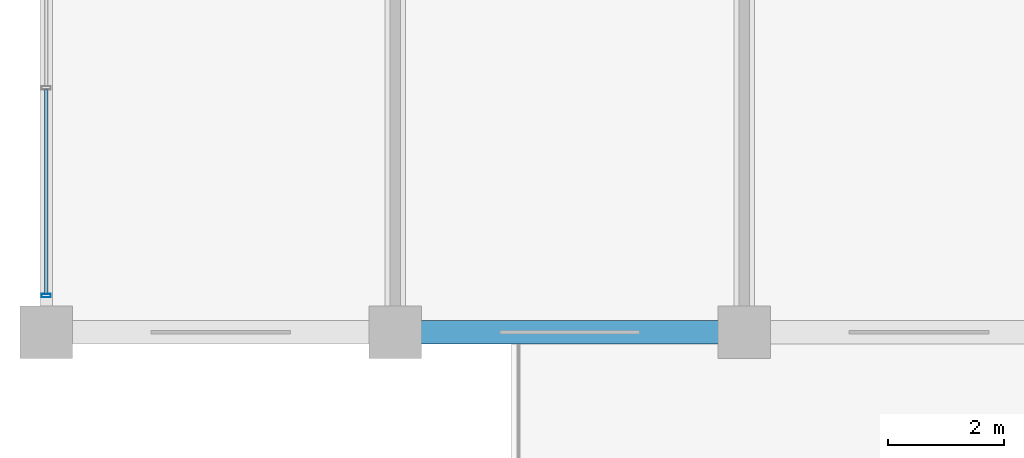
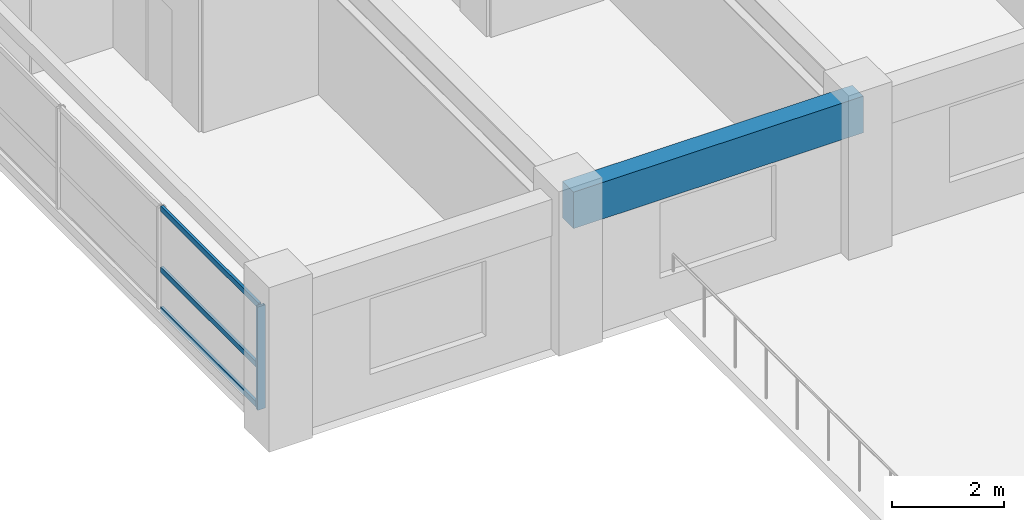
# One storey, part 2 of 24: 4 members, 1 beam, 1 element without a shape of its own.
"""IFC4 building model written with IfcOpenShell, lengths in metres."""

from ifc_helpers import new_model, si_unit, direction, frame, origin, origin_2d, place, context, subcontext, project, spatial, rectangle, hollow_rectangle, extrude, material, material_profile, profile_set, type_object, element, aggregate, save


model = new_model("IFC4")

# Units and contexts
model_context = context("Model", 3, precision=1e-05, world=origin(), true_north=direction((0.0, 1.0)))
body_context = subcontext(model_context, "Body", "Model", "MODEL_VIEW")
ifc_project = project(units=[si_unit("LENGTHUNIT", "METRE"), si_unit("AREAUNIT", "SQUARE_METRE"), si_unit("VOLUMEUNIT", "CUBIC_METRE"), si_unit("PLANEANGLEUNIT", "RADIAN"), si_unit("MASSUNIT", "GRAM", prefix="KILO")], contexts=[model_context])

# Site, building, storey
site_placement = place(None, origin())
site = spatial("IfcSite", under=ifc_project, at=site_placement, CompositionType="ELEMENT")
building_placement = place(site_placement, origin())
building = spatial("IfcBuilding", under=site, at=building_placement, Name="Kaldorvane Square Convention Centre", CompositionType="ELEMENT")
storey_placement = place(building_placement, frame((0.0, 0.0, 27.600006103515625)))
storey = spatial("IfcBuildingStorey", under=building, at=storey_placement, Name="L05", CompositionType="ELEMENT", Elevation=27.600006103515625)

# Beam
ifc_material_1 = material(Name="Concrete f'c = 42 MPa (Normalweight)", Category="concrete")
ifc_material_profile_1 = material_profile(ifc_material_1, rectangle(XDim=0.399993896484375, YDim=0.8000030517578125, at=origin_2d()), Name="RCSP800X400")
ifc_profile_set_1 = profile_set([ifc_material_profile_1], Name="Concrete f'c = 42 MPa (Normalweight)")
beam_type = type_object("IfcBeamType", Name="BM-SP-RC800", PredefinedType="SPANDREL", material=ifc_profile_set_1)
beam_placement = place(storey_placement, frame((30.0, 84.0, 2.885986328125), z_axis=(1.0, 0.0, 0.0), x_axis=(0.0, 1.0, 0.0)))
element("IfcBeam", 1, at=beam_placement, inside=storey, type_object=beam_type, Name="Perimeter Spandrel (L05)", PredefinedType="SPANDREL", context=body_context, shape_type="SweptSolid", body=[
    extrude(rectangle(XDim=0.399993896484375, YDim=0.8000030517578125, at=origin_2d()), origin(), (0.0, 0.0, 1.0), 6.0),
])

# Curtain wall, members
ifc_material_2 = material(Name="Anodized Aluminum and Low-E Insulated Glazing", Category="aluminium")
curtain_wall_type = type_object("IfcCurtainWallType", Name="CW-UNI-HTL-B", PredefinedType="USERDEFINED", material=ifc_material_2)
curtain_wall_placement = place(storey_placement, origin())
curtain_wall = element("IfcCurtainWall", 2, at=curtain_wall_placement, inside=storey, type_object=curtain_wall_type, Name="Curtain Wall CW-11 (L05)", ObjectType="UNITISED GLAZING", PredefinedType="USERDEFINED")
ifc_material_profile_2 = material_profile(ifc_material_2, hollow_rectangle(XDim=0.05999755859375, YDim=0.160003662109375, WallThickness=0.003204345703125, at=origin_2d()), Name="CWM-160X60")
ifc_profile_set_2 = profile_set([ifc_material_profile_2], Name="Anodized Aluminum and Low-E Insulated Glazing")
member_type_1 = type_object("IfcMemberType", Name="CW-MUL-160", PredefinedType="MULLION", material=ifc_profile_set_2)
member_1_placement = place(storey_placement, frame((24.0, 84.6300048828125, 0.149993896484375), z_axis=(0.0, 0.0, 1.0), x_axis=(0.0, -1.0, 0.0)))
member_1 = element("IfcMember", 3, at=member_1_placement, type_object=member_type_1, Name="CW-11 mullion 4", PredefinedType="MULLION", context=body_context, shape_type="SweptSolid", body=[
    extrude(hollow_rectangle(XDim=0.05999755859375, YDim=0.160003662109375, WallThickness=0.003204345703125, at=origin_2d()), origin(), (0.0, 0.0, 1.0), 2.2599945068359375),
])
ifc_material_profile_3 = material_profile(ifc_material_2, hollow_rectangle(XDim=0.05499267578125, YDim=0.1199951171875, WallThickness=0.0030059814453125, at=origin_2d()), Name="CWT-120X55")
ifc_profile_set_3 = profile_set([ifc_material_profile_3], Name="Anodized Aluminum and Low-E Insulated Glazing")
member_type_2 = type_object("IfcMemberType", Name="CW-TRN-120", PredefinedType="USERDEFINED", material=ifc_profile_set_3)
member_2_placement = place(storey_placement, frame((24.0, 88.16999816894531, 0.177490234375), z_axis=(0.0, -1.0, 0.0), x_axis=(1.0, 0.0, 0.0)))
member_2 = element("IfcMember", 4, at=member_2_placement, type_object=member_type_2, Name="CW-11 transom 3.1", ObjectType="TRANSOM", PredefinedType="USERDEFINED", context=body_context, shape_type="SweptSolid", body=[
    extrude(hollow_rectangle(XDim=0.05499267578125, YDim=0.1199951171875, WallThickness=0.0030059814453125, at=origin_2d()), origin(), (0.0, 0.0, 1.0), 3.5099945068359375),
])
member_3_placement = place(storey_placement, frame((24.0, 88.16999816894531, 1.04998779296875), z_axis=(0.0, -1.0, 0.0), x_axis=(1.0, 0.0, 0.0)))
member_3 = element("IfcMember", 5, at=member_3_placement, type_object=member_type_2, Name="CW-11 transom 3.2", ObjectType="TRANSOM", PredefinedType="USERDEFINED", context=body_context, shape_type="SweptSolid", body=[
    extrude(hollow_rectangle(XDim=0.05499267578125, YDim=0.1199951171875, WallThickness=0.0030059814453125, at=origin_2d()), origin(), (0.0, 0.0, 1.0), 3.5099945068359375),
])
member_4_placement = place(storey_placement, frame((24.0, 88.16999816894531, 2.3824920654296875), z_axis=(0.0, -1.0, 0.0), x_axis=(1.0, 0.0, 0.0)))
member_4 = element("IfcMember", 6, at=member_4_placement, type_object=member_type_2, Name="CW-11 transom 3.3", ObjectType="TRANSOM", PredefinedType="USERDEFINED", context=body_context, shape_type="SweptSolid", body=[
    extrude(hollow_rectangle(XDim=0.05499267578125, YDim=0.1199951171875, WallThickness=0.0030059814453125, at=origin_2d()), origin(), (0.0, 0.0, 1.0), 3.5099945068359375),
])
aggregate(curtain_wall, [member_1, member_2, member_3, member_4])

save(model, "model.ifc")
